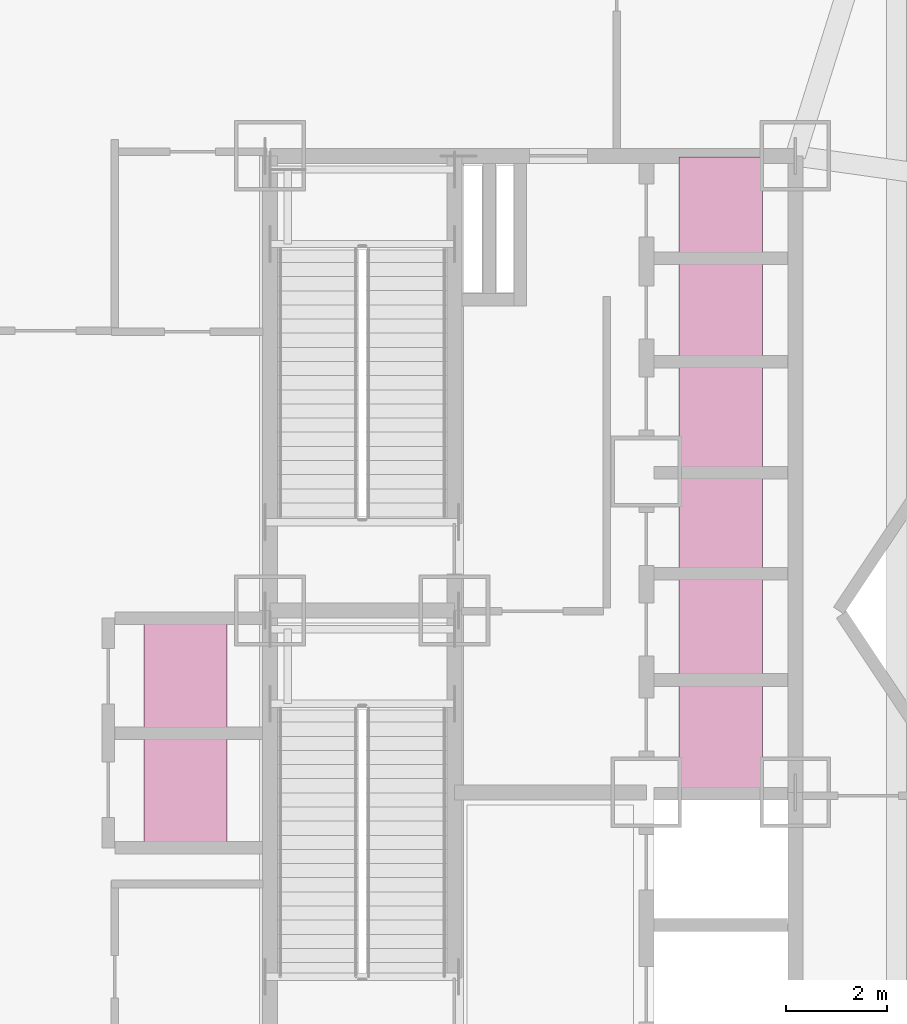
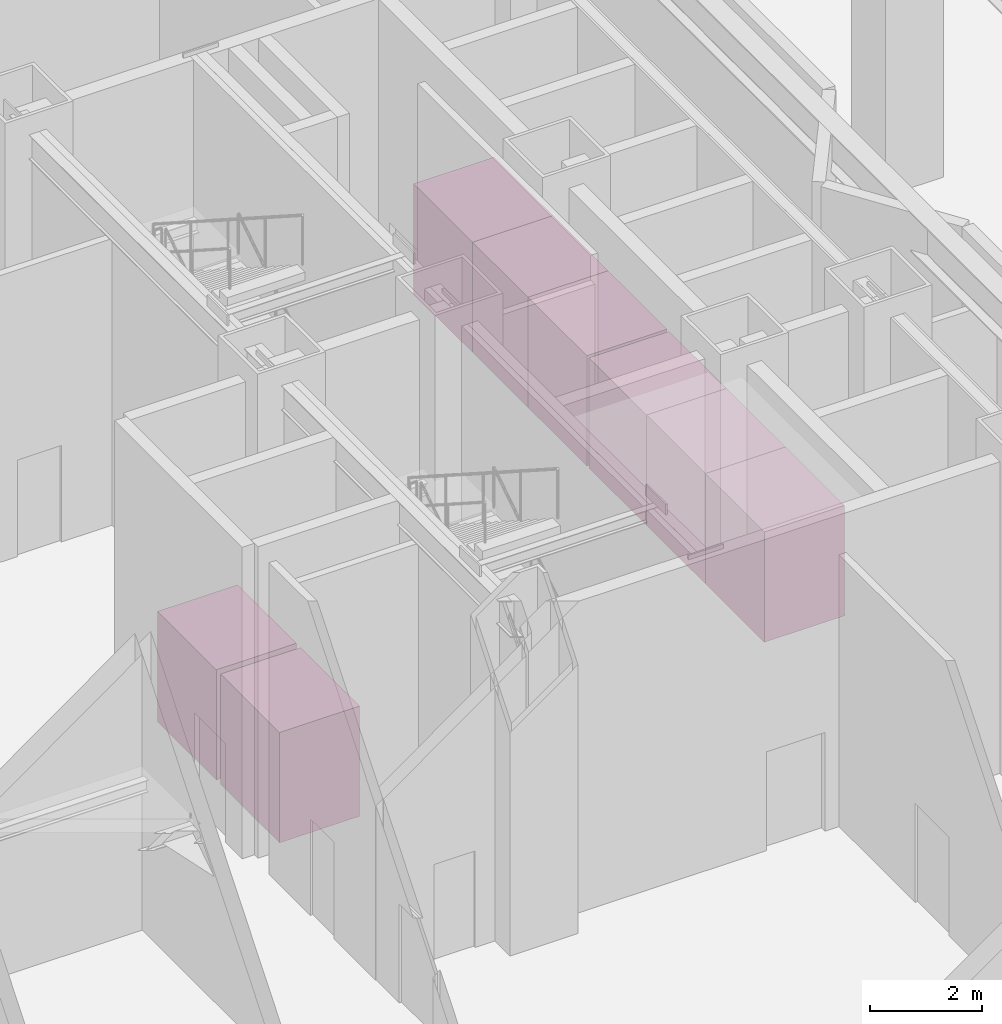
# One storey, part 14 of 14: 8 transport elements.
"""IFC4 building model written with IfcOpenShell, lengths in metres."""

from ifc_helpers import new_model, si_unit, direction, frame, origin, origin_2d, place, context, subcontext, project, spatial, rectangle, extrude, material, type_object, element, save


model = new_model("IFC4")

# Units and contexts
model_context = context("Model", 3, precision=1e-05, world=origin(), true_north=direction((0.0, 1.0)))
body_context = subcontext(model_context, "Body", "Model", "MODEL_VIEW")
ifc_project = project(units=[si_unit("LENGTHUNIT", "METRE"), si_unit("AREAUNIT", "SQUARE_METRE"), si_unit("VOLUMEUNIT", "CUBIC_METRE"), si_unit("PLANEANGLEUNIT", "RADIAN"), si_unit("MASSUNIT", "GRAM", prefix="KILO")], contexts=[model_context])

# Site, building, storey
site_placement = place(None, origin())
site = spatial("IfcSite", under=ifc_project, at=site_placement, CompositionType="ELEMENT")
building_placement = place(site_placement, origin())
building = spatial("IfcBuilding", under=site, at=building_placement, Name="Khamvora Tower", CompositionType="ELEMENT")
storey_placement = place(building_placement, origin())
storey = spatial("IfcBuildingStorey", under=building, at=storey_placement, Name="L00", CompositionType="ELEMENT", Elevation=0.0)

# Transport elements
ifc_material = material(Name="Brushed Stainless Steel 304", Category="steel")
transport_element_type_1 = type_object("IfcTransportElementType", Name="LFT-PS-1650", PredefinedType="ELEVATOR", material=ifc_material)
for number, where, z_axis, x_axis, name in (
    (1, (37.925048828125, 25.52490234375, 0.0), (0.0, 0.0, 1.0), (1.0, 0.0, 0.0), "Low-Rise Passenger Lift PL-01"),
    (2, (37.925048828125, 27.625, 0.0), (0.0, 0.0, 1.0), (1.0, 0.0, 0.0), "Low-Rise Passenger Lift PL-02"),
    (3, (37.925048828125, 29.675048828125, 0.0), (0.0, 0.0, 1.0), (1.0, 0.0, 0.0), "Low-Rise Passenger Lift PL-03"),
    (4, (37.925048828125, 31.85009765625, 0.0), (0.0, 0.0, 1.0), (1.0, 0.0, 0.0), "High-Rise Passenger Lift PH-01"),
    (5, (37.925048828125, 33.89990234375, 0.0), (0.0, 0.0, 1.0), (1.0, 0.0, 0.0), "High-Rise Passenger Lift PH-02"),
    (6, (37.925048828125, 35.925048828125, 0.0), (0.0, 0.0, 1.0), (1.0, 0.0, 0.0), "High-Rise Passenger Lift PH-03"),
):
    element("IfcTransportElement", number, at=place(storey_placement, frame(where, z_axis=z_axis, x_axis=x_axis)), inside=storey, type_object=transport_element_type_1, Name=name, PredefinedType="ELEVATOR", context=body_context, shape_type="SweptSolid", body=[
        extrude(rectangle(XDim=1.64990234375, YDim=2.10009765625, at=origin_2d()), origin(), (0.0, 0.0, 1.0), 2.39990234375),
    ])
transport_element_type_2 = type_object("IfcTransportElementType", Name="LFT-SC-1650", PredefinedType="ELEVATOR", material=ifc_material)
for number, where, z_axis, x_axis, name in (
    (7, (27.324951171875, 24.449951171875, 0.0), (0.0, 0.0, 1.0), (1.0, 0.0, 0.0), "School Podium Lift SL-01"),
    (8, (27.324951171875, 26.699951171875, 0.0), (0.0, 0.0, 1.0), (1.0, 0.0, 0.0), "School Podium Lift SL-02"),
):
    element("IfcTransportElement", number, at=place(storey_placement, frame(where, z_axis=z_axis, x_axis=x_axis)), inside=storey, type_object=transport_element_type_2, Name=name, PredefinedType="ELEVATOR", context=body_context, shape_type="SweptSolid", body=[
        extrude(rectangle(XDim=1.64990234375, YDim=2.10009765625, at=origin_2d()), origin(), (0.0, 0.0, 1.0), 2.39990234375),
    ])

save(model, "model.ifc")
